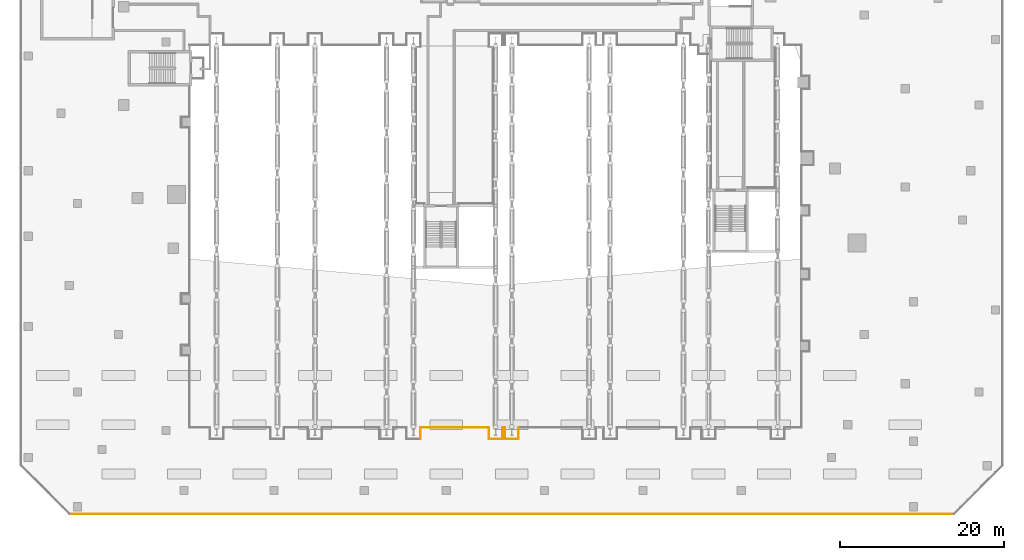
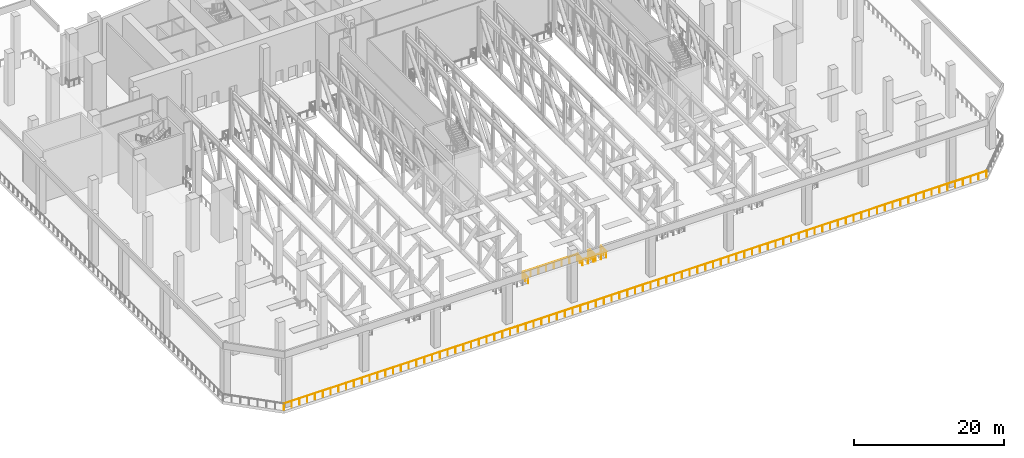
# One storey, part 21 of 33: 9 railings.
"""IFC4 building model written with IfcOpenShell, lengths in metres."""

from ifc_helpers import new_model, si_unit, direction, frame, origin, origin_2d, place, context, subcontext, project, spatial, circle, extrude, material, type_object, element, save


model = new_model("IFC4")

# Units and contexts
model_context = context("Model", 3, precision=1e-05, world=origin(), true_north=direction((0.0, 1.0)))
body_context = subcontext(model_context, "Body", "Model", "MODEL_VIEW")
ifc_project = project(units=[si_unit("LENGTHUNIT", "METRE"), si_unit("AREAUNIT", "SQUARE_METRE"), si_unit("VOLUMEUNIT", "CUBIC_METRE"), si_unit("PLANEANGLEUNIT", "RADIAN"), si_unit("MASSUNIT", "GRAM", prefix="KILO")], contexts=[model_context])

# Site, building, storey
site_placement = place(None, origin())
site = spatial("IfcSite", under=ifc_project, at=site_placement, CompositionType="ELEMENT")
building_placement = place(site_placement, origin())
building = spatial("IfcBuilding", under=site, at=building_placement, Name="Wharfspan Tower", CompositionType="ELEMENT")
storey_placement = place(building_placement, frame((0.0, 0.0, 33.0)))
storey = spatial("IfcBuildingStorey", under=building, at=storey_placement, Name="L05", CompositionType="ELEMENT", Elevation=33.0)

# Railings
ifc_material = material(Name="Steel S355J2", Category="steel")
railing_type = type_object("IfcRailingType", Name="GUARD 1100 STEEL AND GLASS", PredefinedType="GUARDRAIL", material=ifc_material)
railing_1_placement = place(storey_placement, frame((101.941895, -31.860107, 0.0)))
element("IfcRailing", 1, at=railing_1_placement, inside=storey, type_object=railing_type, Name="Guard on the deck edge", PredefinedType="GUARDRAIL", context=body_context, shape_type="SweptSolid", body=[
    extrude(circle(Radius=0.024902, at=origin_2d()), frame((0.0, 0.0, 1.075195), z_axis=(-1.0, 0.0, 0.0), x_axis=(0.0, -1.0, 0.0)), (0.0, 0.0, 1.0), 107.883789),
    extrude(circle(Radius=0.02002, at=origin_2d()), origin(), (0.0, 0.0, 1.0), 1.050049),
    extrude(circle(Radius=0.02002, at=origin_2d()), frame((-1.19873, 0.0, 0.0)), (0.0, 0.0, 1.0), 1.050049),
    extrude(circle(Radius=0.02002, at=origin_2d()), frame((-2.397461, 0.0, 0.0)), (0.0, 0.0, 1.0), 1.050049),
    extrude(circle(Radius=0.02002, at=origin_2d()), frame((-3.596191, 0.0, 0.0)), (0.0, 0.0, 1.0), 1.050049),
    extrude(circle(Radius=0.02002, at=origin_2d()), frame((-4.794922, 0.0, 0.0)), (0.0, 0.0, 1.0), 1.050049),
    extrude(circle(Radius=0.02002, at=origin_2d()), frame((-5.993652, 0.0, 0.0)), (0.0, 0.0, 1.0), 1.050049),
    extrude(circle(Radius=0.02002, at=origin_2d()), frame((-7.192139, 0.0, 0.0)), (0.0, 0.0, 1.0), 1.050049),
    extrude(circle(Radius=0.02002, at=origin_2d()), frame((-8.390869, 0.0, 0.0)), (0.0, 0.0, 1.0), 1.050049),
    extrude(circle(Radius=0.02002, at=origin_2d()), frame((-9.5896, 0.0, 0.0)), (0.0, 0.0, 1.0), 1.050049),
    extrude(circle(Radius=0.02002, at=origin_2d()), frame((-10.78833, 0.0, 0.0)), (0.0, 0.0, 1.0), 1.050049),
    extrude(circle(Radius=0.02002, at=origin_2d()), frame((-11.987061, 0.0, 0.0)), (0.0, 0.0, 1.0), 1.050049),
    extrude(circle(Radius=0.02002, at=origin_2d()), frame((-13.185791, 0.0, 0.0)), (0.0, 0.0, 1.0), 1.050049),
    extrude(circle(Radius=0.02002, at=origin_2d()), frame((-14.384521, 0.0, 0.0)), (0.0, 0.0, 1.0), 1.050049),
    extrude(circle(Radius=0.02002, at=origin_2d()), frame((-15.583252, 0.0, 0.0)), (0.0, 0.0, 1.0), 1.050049),
    extrude(circle(Radius=0.02002, at=origin_2d()), frame((-16.781982, 0.0, 0.0)), (0.0, 0.0, 1.0), 1.050049),
    extrude(circle(Radius=0.02002, at=origin_2d()), frame((-17.980713, 0.0, 0.0)), (0.0, 0.0, 1.0), 1.050049),
    extrude(circle(Radius=0.02002, at=origin_2d()), frame((-19.179443, 0.0, 0.0)), (0.0, 0.0, 1.0), 1.050049),
    extrude(circle(Radius=0.02002, at=origin_2d()), frame((-20.37793, 0.0, 0.0)), (0.0, 0.0, 1.0), 1.050049),
    extrude(circle(Radius=0.02002, at=origin_2d()), frame((-21.57666, 0.0, 0.0)), (0.0, 0.0, 1.0), 1.050049),
    extrude(circle(Radius=0.02002, at=origin_2d()), frame((-22.775391, 0.0, 0.0)), (0.0, 0.0, 1.0), 1.050049),
    extrude(circle(Radius=0.02002, at=origin_2d()), frame((-23.974121, 0.0, 0.0)), (0.0, 0.0, 1.0), 1.050049),
    extrude(circle(Radius=0.02002, at=origin_2d()), frame((-25.172852, 0.0, 0.0)), (0.0, 0.0, 1.0), 1.050049),
    extrude(circle(Radius=0.02002, at=origin_2d()), frame((-26.371582, 0.0, 0.0)), (0.0, 0.0, 1.0), 1.050049),
    extrude(circle(Radius=0.02002, at=origin_2d()), frame((-27.570312, 0.0, 0.0)), (0.0, 0.0, 1.0), 1.050049),
    extrude(circle(Radius=0.02002, at=origin_2d()), frame((-28.769043, 0.0, 0.0)), (0.0, 0.0, 1.0), 1.050049),
    extrude(circle(Radius=0.02002, at=origin_2d()), frame((-29.967773, 0.0, 0.0)), (0.0, 0.0, 1.0), 1.050049),
    extrude(circle(Radius=0.02002, at=origin_2d()), frame((-31.166504, 0.0, 0.0)), (0.0, 0.0, 1.0), 1.050049),
    extrude(circle(Radius=0.02002, at=origin_2d()), frame((-32.365234, 0.0, 0.0)), (0.0, 0.0, 1.0), 1.050049),
    extrude(circle(Radius=0.02002, at=origin_2d()), frame((-33.563965, 0.0, 0.0)), (0.0, 0.0, 1.0), 1.050049),
    extrude(circle(Radius=0.02002, at=origin_2d()), frame((-34.762451, 0.0, 0.0)), (0.0, 0.0, 1.0), 1.050049),
    extrude(circle(Radius=0.02002, at=origin_2d()), frame((-35.961182, 0.0, 0.0)), (0.0, 0.0, 1.0), 1.050049),
    extrude(circle(Radius=0.02002, at=origin_2d()), frame((-37.159912, 0.0, 0.0)), (0.0, 0.0, 1.0), 1.050049),
    extrude(circle(Radius=0.02002, at=origin_2d()), frame((-38.358643, 0.0, 0.0)), (0.0, 0.0, 1.0), 1.050049),
    extrude(circle(Radius=0.02002, at=origin_2d()), frame((-39.557373, 0.0, 0.0)), (0.0, 0.0, 1.0), 1.050049),
    extrude(circle(Radius=0.02002, at=origin_2d()), frame((-40.756104, 0.0, 0.0)), (0.0, 0.0, 1.0), 1.050049),
    extrude(circle(Radius=0.02002, at=origin_2d()), frame((-41.954834, 0.0, 0.0)), (0.0, 0.0, 1.0), 1.050049),
    extrude(circle(Radius=0.02002, at=origin_2d()), frame((-43.153564, 0.0, 0.0)), (0.0, 0.0, 1.0), 1.050049),
    extrude(circle(Radius=0.02002, at=origin_2d()), frame((-44.352295, 0.0, 0.0)), (0.0, 0.0, 1.0), 1.050049),
    extrude(circle(Radius=0.02002, at=origin_2d()), frame((-45.551025, 0.0, 0.0)), (0.0, 0.0, 1.0), 1.050049),
    extrude(circle(Radius=0.02002, at=origin_2d()), frame((-46.749756, 0.0, 0.0)), (0.0, 0.0, 1.0), 1.050049),
    extrude(circle(Radius=0.02002, at=origin_2d()), frame((-47.948242, 0.0, 0.0)), (0.0, 0.0, 1.0), 1.050049),
    extrude(circle(Radius=0.02002, at=origin_2d()), frame((-49.146973, 0.0, 0.0)), (0.0, 0.0, 1.0), 1.050049),
    extrude(circle(Radius=0.02002, at=origin_2d()), frame((-50.345703, 0.0, 0.0)), (0.0, 0.0, 1.0), 1.050049),
    extrude(circle(Radius=0.02002, at=origin_2d()), frame((-51.544434, 0.0, 0.0)), (0.0, 0.0, 1.0), 1.050049),
    extrude(circle(Radius=0.02002, at=origin_2d()), frame((-52.743164, 0.0, 0.0)), (0.0, 0.0, 1.0), 1.050049),
    extrude(circle(Radius=0.02002, at=origin_2d()), frame((-53.941895, 0.0, 0.0)), (0.0, 0.0, 1.0), 1.050049),
    extrude(circle(Radius=0.02002, at=origin_2d()), frame((-55.140625, 0.0, 0.0)), (0.0, 0.0, 1.0), 1.050049),
    extrude(circle(Radius=0.02002, at=origin_2d()), frame((-56.339355, 0.0, 0.0)), (0.0, 0.0, 1.0), 1.050049),
    extrude(circle(Radius=0.02002, at=origin_2d()), frame((-57.538086, 0.0, 0.0)), (0.0, 0.0, 1.0), 1.050049),
    extrude(circle(Radius=0.02002, at=origin_2d()), frame((-58.736816, 0.0, 0.0)), (0.0, 0.0, 1.0), 1.050049),
    extrude(circle(Radius=0.02002, at=origin_2d()), frame((-59.935547, 0.0, 0.0)), (0.0, 0.0, 1.0), 1.050049),
    extrude(circle(Radius=0.02002, at=origin_2d()), frame((-61.134033, 0.0, 0.0)), (0.0, 0.0, 1.0), 1.050049),
    extrude(circle(Radius=0.02002, at=origin_2d()), frame((-62.332764, 0.0, 0.0)), (0.0, 0.0, 1.0), 1.050049),
    extrude(circle(Radius=0.02002, at=origin_2d()), frame((-63.531494, 0.0, 0.0)), (0.0, 0.0, 1.0), 1.050049),
    extrude(circle(Radius=0.02002, at=origin_2d()), frame((-64.730225, 0.0, 0.0)), (0.0, 0.0, 1.0), 1.050049),
    extrude(circle(Radius=0.02002, at=origin_2d()), frame((-65.928955, 0.0, 0.0)), (0.0, 0.0, 1.0), 1.050049),
    extrude(circle(Radius=0.02002, at=origin_2d()), frame((-67.127686, 0.0, 0.0)), (0.0, 0.0, 1.0), 1.050049),
    extrude(circle(Radius=0.02002, at=origin_2d()), frame((-68.326416, 0.0, 0.0)), (0.0, 0.0, 1.0), 1.050049),
    extrude(circle(Radius=0.02002, at=origin_2d()), frame((-69.525146, 0.0, 0.0)), (0.0, 0.0, 1.0), 1.050049),
    extrude(circle(Radius=0.02002, at=origin_2d()), frame((-70.723877, 0.0, 0.0)), (0.0, 0.0, 1.0), 1.050049),
    extrude(circle(Radius=0.02002, at=origin_2d()), frame((-71.922607, 0.0, 0.0)), (0.0, 0.0, 1.0), 1.050049),
    extrude(circle(Radius=0.02002, at=origin_2d()), frame((-73.121338, 0.0, 0.0)), (0.0, 0.0, 1.0), 1.050049),
    extrude(circle(Radius=0.02002, at=origin_2d()), frame((-74.319824, 0.0, 0.0)), (0.0, 0.0, 1.0), 1.050049),
    extrude(circle(Radius=0.02002, at=origin_2d()), frame((-75.518555, 0.0, 0.0)), (0.0, 0.0, 1.0), 1.050049),
    extrude(circle(Radius=0.02002, at=origin_2d()), frame((-76.717285, 0.0, 0.0)), (0.0, 0.0, 1.0), 1.050049),
    extrude(circle(Radius=0.02002, at=origin_2d()), frame((-77.916016, 0.0, 0.0)), (0.0, 0.0, 1.0), 1.050049),
    extrude(circle(Radius=0.02002, at=origin_2d()), frame((-79.114746, 0.0, 0.0)), (0.0, 0.0, 1.0), 1.050049),
    extrude(circle(Radius=0.02002, at=origin_2d()), frame((-80.313477, 0.0, 0.0)), (0.0, 0.0, 1.0), 1.050049),
    extrude(circle(Radius=0.02002, at=origin_2d()), frame((-81.512207, 0.0, 0.0)), (0.0, 0.0, 1.0), 1.050049),
    extrude(circle(Radius=0.02002, at=origin_2d()), frame((-82.710938, 0.0, 0.0)), (0.0, 0.0, 1.0), 1.050049),
    extrude(circle(Radius=0.02002, at=origin_2d()), frame((-83.909668, 0.0, 0.0)), (0.0, 0.0, 1.0), 1.050049),
    extrude(circle(Radius=0.02002, at=origin_2d()), frame((-85.108398, 0.0, 0.0)), (0.0, 0.0, 1.0), 1.050049),
    extrude(circle(Radius=0.02002, at=origin_2d()), frame((-86.307129, 0.0, 0.0)), (0.0, 0.0, 1.0), 1.050049),
    extrude(circle(Radius=0.02002, at=origin_2d()), frame((-87.505859, 0.0, 0.0)), (0.0, 0.0, 1.0), 1.050049),
    extrude(circle(Radius=0.02002, at=origin_2d()), frame((-88.704346, 0.0, 0.0)), (0.0, 0.0, 1.0), 1.050049),
    extrude(circle(Radius=0.02002, at=origin_2d()), frame((-89.903076, 0.0, 0.0)), (0.0, 0.0, 1.0), 1.050049),
    extrude(circle(Radius=0.02002, at=origin_2d()), frame((-91.101807, 0.0, 0.0)), (0.0, 0.0, 1.0), 1.050049),
    extrude(circle(Radius=0.02002, at=origin_2d()), frame((-92.300537, 0.0, 0.0)), (0.0, 0.0, 1.0), 1.050049),
    extrude(circle(Radius=0.02002, at=origin_2d()), frame((-93.499268, 0.0, 0.0)), (0.0, 0.0, 1.0), 1.050049),
    extrude(circle(Radius=0.02002, at=origin_2d()), frame((-94.697998, 0.0, 0.0)), (0.0, 0.0, 1.0), 1.050049),
    extrude(circle(Radius=0.02002, at=origin_2d()), frame((-95.896729, 0.0, 0.0)), (0.0, 0.0, 1.0), 1.050049),
    extrude(circle(Radius=0.02002, at=origin_2d()), frame((-97.095459, 0.0, 0.0)), (0.0, 0.0, 1.0), 1.050049),
    extrude(circle(Radius=0.02002, at=origin_2d()), frame((-98.294189, 0.0, 0.0)), (0.0, 0.0, 1.0), 1.050049),
    extrude(circle(Radius=0.02002, at=origin_2d()), frame((-99.49292, 0.0, 0.0)), (0.0, 0.0, 1.0), 1.050049),
    extrude(circle(Radius=0.02002, at=origin_2d()), frame((-100.69165, 0.0, 0.0)), (0.0, 0.0, 1.0), 1.050049),
    extrude(circle(Radius=0.02002, at=origin_2d()), frame((-101.890137, 0.0, 0.0)), (0.0, 0.0, 1.0), 1.050049),
    extrude(circle(Radius=0.02002, at=origin_2d()), frame((-103.088867, 0.0, 0.0)), (0.0, 0.0, 1.0), 1.050049),
    extrude(circle(Radius=0.02002, at=origin_2d()), frame((-104.287598, 0.0, 0.0)), (0.0, 0.0, 1.0), 1.050049),
    extrude(circle(Radius=0.02002, at=origin_2d()), frame((-105.486328, 0.0, 0.0)), (0.0, 0.0, 1.0), 1.050049),
    extrude(circle(Radius=0.02002, at=origin_2d()), frame((-106.685059, 0.0, 0.0)), (0.0, 0.0, 1.0), 1.050049),
    extrude(circle(Radius=0.02002, at=origin_2d()), frame((-107.883789, 0.0, 0.0)), (0.0, 0.0, 1.0), 1.050049),
])
railing_2_placement = place(storey_placement, frame((36.840088, -22.73999, 0.0)))
element("IfcRailing", 2, at=railing_2_placement, inside=storey, type_object=railing_type, Name="Guard on the deck edge", PredefinedType="GUARDRAIL", context=body_context, shape_type="SweptSolid", body=[
    extrude(circle(Radius=0.024902, at=origin_2d()), frame((0.0, 0.0, 1.075195), z_axis=(0.0, 1.0, 0.0), x_axis=(-1.0, 0.0, 0.0)), (0.0, 0.0, 1.0), 1.399902),
    extrude(circle(Radius=0.02002, at=origin_2d()), origin(), (0.0, 0.0, 1.0), 1.050049),
    extrude(circle(Radius=0.02002, at=origin_2d()), frame((0.0, 0.699951, 0.0)), (0.0, 0.0, 1.0), 1.050049),
    extrude(circle(Radius=0.02002, at=origin_2d()), frame((0.0, 1.399902, 0.0)), (0.0, 0.0, 1.0), 1.050049),
])
railing_3_placement = place(storey_placement, frame((36.840088, -21.340088, 0.0)))
element("IfcRailing", 3, at=railing_3_placement, inside=storey, type_object=railing_type, Name="Guard on the deck edge", PredefinedType="GUARDRAIL", context=body_context, shape_type="SweptSolid", body=[
    extrude(circle(Radius=0.024902, at=origin_2d()), frame((0.0, 0.0, 1.075195), z_axis=(1.0, 0.0, 0.0), x_axis=(0.0, 1.0, 0.0)), (0.0, 0.0, 1.0), 8.361816),
    extrude(circle(Radius=0.02002, at=origin_2d()), origin(), (0.0, 0.0, 1.0), 1.050049),
    extrude(circle(Radius=0.02002, at=origin_2d()), frame((1.19458, 0.0, 0.0)), (0.0, 0.0, 1.0), 1.050049),
    extrude(circle(Radius=0.02002, at=origin_2d()), frame((2.38916, 0.0, 0.0)), (0.0, 0.0, 1.0), 1.050049),
    extrude(circle(Radius=0.02002, at=origin_2d()), frame((3.58374, 0.0, 0.0)), (0.0, 0.0, 1.0), 1.050049),
    extrude(circle(Radius=0.02002, at=origin_2d()), frame((4.778076, 0.0, 0.0)), (0.0, 0.0, 1.0), 1.050049),
    extrude(circle(Radius=0.02002, at=origin_2d()), frame((5.972656, 0.0, 0.0)), (0.0, 0.0, 1.0), 1.050049),
    extrude(circle(Radius=0.02002, at=origin_2d()), frame((7.167236, 0.0, 0.0)), (0.0, 0.0, 1.0), 1.050049),
    extrude(circle(Radius=0.02002, at=origin_2d()), frame((8.361816, 0.0, 0.0)), (0.0, 0.0, 1.0), 1.050049),
])
railing_4_placement = place(storey_placement, frame((45.201904, -21.340088, 0.0)))
element("IfcRailing", 4, at=railing_4_placement, inside=storey, type_object=railing_type, Name="Guard on the deck edge", PredefinedType="GUARDRAIL", context=body_context, shape_type="SweptSolid", body=[
    extrude(circle(Radius=0.024902, at=origin_2d()), frame((0.0, 0.0, 1.075195), z_axis=(0.0, -1.0, 0.0), x_axis=(1.0, 0.0, 0.0)), (0.0, 0.0, 1.0), 1.399902),
    extrude(circle(Radius=0.02002, at=origin_2d()), origin(), (0.0, 0.0, 1.0), 1.050049),
    extrude(circle(Radius=0.02002, at=origin_2d()), frame((0.0, -0.699951, 0.0)), (0.0, 0.0, 1.0), 1.050049),
    extrude(circle(Radius=0.02002, at=origin_2d()), frame((0.0, -1.399902, 0.0)), (0.0, 0.0, 1.0), 1.050049),
])
railing_5_placement = place(storey_placement, frame((45.201904, -22.73999, 0.0)))
element("IfcRailing", 5, at=railing_5_placement, inside=storey, type_object=railing_type, Name="Guard on the deck edge", PredefinedType="GUARDRAIL", context=body_context, shape_type="SweptSolid", body=[
    extrude(circle(Radius=0.024902, at=origin_2d()), frame((0.0, 0.0, 1.075195), z_axis=(1.0, 0.0, 0.0), x_axis=(0.0, 1.0, 0.0)), (0.0, 0.0, 1.0), 1.680176),
    extrude(circle(Radius=0.02002, at=origin_2d()), origin(), (0.0, 0.0, 1.0), 1.050049),
    extrude(circle(Radius=0.02002, at=origin_2d()), frame((0.840088, 0.0, 0.0)), (0.0, 0.0, 1.0), 1.050049),
    extrude(circle(Radius=0.02002, at=origin_2d()), frame((1.680176, 0.0, 0.0)), (0.0, 0.0, 1.0), 1.050049),
])
railing_6_placement = place(storey_placement, frame((46.88208, -22.73999, 0.0)))
element("IfcRailing", 6, at=railing_6_placement, inside=storey, type_object=railing_type, Name="Guard on the deck edge", PredefinedType="GUARDRAIL", context=body_context, shape_type="SweptSolid", body=[
    extrude(circle(Radius=0.024902, at=origin_2d()), frame((0.0, 0.0, 1.075195), z_axis=(0.0, 1.0, 0.0), x_axis=(-1.0, 0.0, 0.0)), (0.0, 0.0, 1.0), 1.399902),
    extrude(circle(Radius=0.02002, at=origin_2d()), origin(), (0.0, 0.0, 1.0), 1.050049),
    extrude(circle(Radius=0.02002, at=origin_2d()), frame((0.0, 0.699951, 0.0)), (0.0, 0.0, 1.0), 1.050049),
    extrude(circle(Radius=0.02002, at=origin_2d()), frame((0.0, 1.399902, 0.0)), (0.0, 0.0, 1.0), 1.050049),
])
railing_7_placement = place(storey_placement, frame((47.159912, -21.340088, 0.0)))
element("IfcRailing", 7, at=railing_7_placement, inside=storey, type_object=railing_type, Name="Guard on the deck edge", PredefinedType="GUARDRAIL", context=body_context, shape_type="SweptSolid", body=[
    extrude(circle(Radius=0.024902, at=origin_2d()), frame((0.0, 0.0, 1.075195), z_axis=(0.0, -1.0, 0.0), x_axis=(1.0, 0.0, 0.0)), (0.0, 0.0, 1.0), 1.399902),
    extrude(circle(Radius=0.02002, at=origin_2d()), origin(), (0.0, 0.0, 1.0), 1.050049),
    extrude(circle(Radius=0.02002, at=origin_2d()), frame((0.0, -0.699951, 0.0)), (0.0, 0.0, 1.0), 1.050049),
    extrude(circle(Radius=0.02002, at=origin_2d()), frame((0.0, -1.399902, 0.0)), (0.0, 0.0, 1.0), 1.050049),
])
railing_8_placement = place(storey_placement, frame((47.159912, -22.73999, 0.0)))
element("IfcRailing", 8, at=railing_8_placement, inside=storey, type_object=railing_type, Name="Guard on the deck edge", PredefinedType="GUARDRAIL", context=body_context, shape_type="SweptSolid", body=[
    extrude(circle(Radius=0.024902, at=origin_2d()), frame((0.0, 0.0, 1.075195), z_axis=(1.0, 0.0, 0.0), x_axis=(0.0, 1.0, 0.0)), (0.0, 0.0, 1.0), 1.680176),
    extrude(circle(Radius=0.02002, at=origin_2d()), origin(), (0.0, 0.0, 1.0), 1.050049),
    extrude(circle(Radius=0.02002, at=origin_2d()), frame((0.840088, 0.0, 0.0)), (0.0, 0.0, 1.0), 1.050049),
    extrude(circle(Radius=0.02002, at=origin_2d()), frame((1.680176, 0.0, 0.0)), (0.0, 0.0, 1.0), 1.050049),
])
railing_9_placement = place(storey_placement, frame((48.840088, -22.73999, 0.0)))
element("IfcRailing", 9, at=railing_9_placement, inside=storey, type_object=railing_type, Name="Guard on the deck edge", PredefinedType="GUARDRAIL", context=body_context, shape_type="SweptSolid", body=[
    extrude(circle(Radius=0.024902, at=origin_2d()), frame((0.0, 0.0, 1.075195), z_axis=(0.0, 1.0, 0.0), x_axis=(-1.0, 0.0, 0.0)), (0.0, 0.0, 1.0), 1.399902),
    extrude(circle(Radius=0.02002, at=origin_2d()), origin(), (0.0, 0.0, 1.0), 1.050049),
    extrude(circle(Radius=0.02002, at=origin_2d()), frame((0.0, 0.699951, 0.0)), (0.0, 0.0, 1.0), 1.050049),
    extrude(circle(Radius=0.02002, at=origin_2d()), frame((0.0, 1.399902, 0.0)), (0.0, 0.0, 1.0), 1.050049),
])

save(model, "model.ifc")
